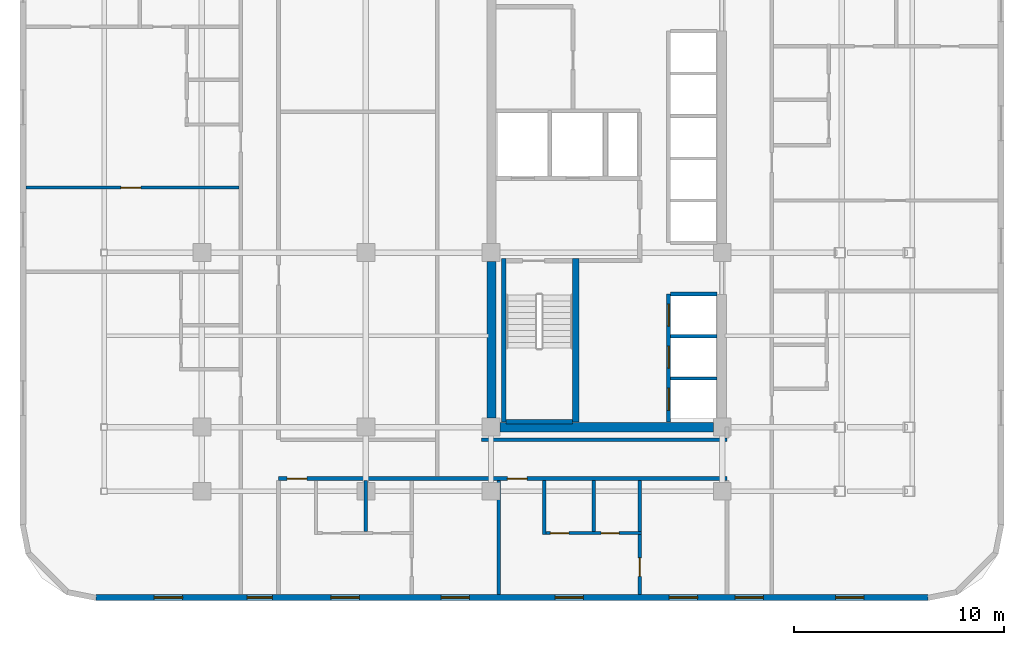
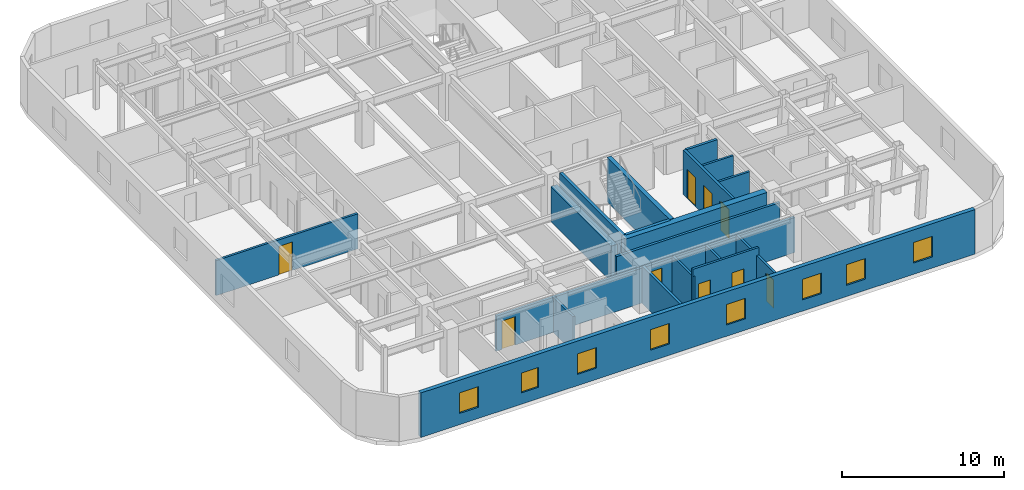
# One storey, part 6 of 12: 19 walls, 9 doors, 8 windows, 17 openings.
"""IFC4 building model written with IfcOpenShell, lengths in metres."""

from ifc_helpers import new_model, si_unit, direction, frame, frame_2d, origin, place, context, subcontext, project, spatial, rectangle, extrude, material, layer, layer_set, type_object, element, fill, save


model = new_model("IFC4")

# Units and contexts
model_context = context("Model", 3, precision=1e-05, world=origin(), true_north=direction((0.0, 1.0)))
body_context = subcontext(model_context, "Body", "Model", "MODEL_VIEW")
ifc_project = project(units=[si_unit("LENGTHUNIT", "METRE"), si_unit("AREAUNIT", "SQUARE_METRE"), si_unit("VOLUMEUNIT", "CUBIC_METRE"), si_unit("PLANEANGLEUNIT", "RADIAN"), si_unit("MASSUNIT", "GRAM", prefix="KILO")], contexts=[model_context])

# Site, building, storey
site_placement = place(None, origin())
site = spatial("IfcSite", under=ifc_project, at=site_placement, CompositionType="ELEMENT")
building_placement = place(site_placement, origin())
building = spatial("IfcBuilding", under=site, at=building_placement, Name="Ochreholt Gables", CompositionType="ELEMENT")
storey_placement = place(building_placement, frame((0.0, 0.0, 24.0)))
storey = spatial("IfcBuildingStorey", under=building, at=storey_placement, Name="L05", CompositionType="ELEMENT", Elevation=24.0)

# Walls
ifc_material_1 = material(Name="Concrete 60 MPa", Category="concrete")
ifc_layer_1 = layer(ifc_material_1, 0.449951171875, Name="Concrete 60 MPa")
ifc_layer_set_1 = layer_set([ifc_layer_1], Name="Concrete 60 MPa")
wall_type_1 = type_object("IfcWallType", Name="WALL-CSW-450", PredefinedType="SHEAR", material=ifc_layer_set_1)
wall_1_placement = place(storey_placement, frame((24.22509765625, 9.675048828125, 0.0), z_axis=(0.0, 0.0, 1.0), x_axis=(0.0, 1.0, 0.0)))
element("IfcWall", 1, at=wall_1_placement, inside=storey, type_object=wall_type_1, Name="L05 Core West Shear Wall WS", PredefinedType="SHEAR", context=body_context, shape_type="SweptSolid", body=[
    extrude(rectangle(XDim=7.449951171875, YDim=0.449951171875, at=frame_2d((3.72509765625, 0.0))), origin(), (0.0, 0.0, 1.0), 2.6669921875),
])
wall_2_placement = place(storey_placement, frame((24.625, 9.25, 0.0), z_axis=(0.0, 0.0, 1.0), x_axis=(1.0, 0.0, 0.0)))
element("IfcWall", 2, at=wall_2_placement, inside=storey, type_object=wall_type_1, Name="L05 Core South Shear Wall", PredefinedType="SHEAR", context=body_context, shape_type="SweptSolid", body=[
    extrude(rectangle(XDim=10.14990234375, YDim=0.449951171875, at=frame_2d((5.074951171875, 0.0))), origin(), (0.0, 0.0, 1.0), 3.360107421875),
])

# Wall, openings, windows
ifc_material_2 = material(Name="Precast concrete 40 MPa", Category="concrete")
ifc_layer_2 = layer(ifc_material_2, 0.2900390625, Name="Precast concrete 40 MPa")
ifc_layer_set_2 = layer_set([ifc_layer_2], Name="Precast concrete 40 MPa")
wall_type_2 = type_object("IfcWallType", Name="WALL-EXT-290", PredefinedType="SOLIDWALL", material=ifc_layer_set_2)
wall_3_placement = place(storey_placement, frame((5.419921875, 1.14501953125, 0.0), z_axis=(0.0, 0.0, 1.0), x_axis=(1.0, 0.0, 0.0)))
wall_3 = element("IfcWall", 3, at=wall_3_placement, inside=storey, type_object=wall_type_2, Name="L05 South Exterior Wall", PredefinedType="SOLIDWALL", context=body_context, shape_type="SweptSolid", body=[
    extrude(rectangle(XDim=39.56005859375, YDim=0.2900390625, at=frame_2d((19.780029296875, 0.0))), origin(), (0.0, 0.0, 1.0), 3.360107421875),
])
opening_1_placement = place(wall_3_placement, frame((2.764892578125, 0.0, 0.85009765625)))
opening_1 = element("IfcOpeningElement", 4, at=opening_1_placement, cuts=wall_3, Name="Opening WN-8", PredefinedType="OPENING", context=body_context, shape_type="SweptSolid", body=[
    extrude(rectangle(XDim=1.35009765625, YDim=1.550048828125, at=frame_2d((0.675048828125, 0.77490234375))), frame((0.0, 0.155029296875, 0.0), z_axis=(0.0, -1.0, 0.0), x_axis=(1.0, 0.0, 0.0)), (0.0, 0.0, 1.0), 0.31005859375),
])
opening_2_placement = place(wall_3_placement, frame((7.179931640625, 0.0, 0.85009765625)))
opening_2 = element("IfcOpeningElement", 5, at=opening_2_placement, cuts=wall_3, Name="Opening WN-3", PredefinedType="OPENING", context=body_context, shape_type="SweptSolid", body=[
    extrude(rectangle(XDim=1.199951171875, YDim=1.5, at=frame_2d((0.60009765625, 0.75))), frame((0.0, 0.155029296875, 0.0), z_axis=(0.0, -1.0, 0.0), x_axis=(1.0, 0.0, 0.0)), (0.0, 0.0, 1.0), 0.31005859375),
])
opening_3_placement = place(wall_3_placement, frame((11.170166015625, 0.0, 0.85009765625)))
opening_3 = element("IfcOpeningElement", 6, at=opening_3_placement, cuts=wall_3, Name="Opening WN-8", PredefinedType="OPENING", context=body_context, shape_type="SweptSolid", body=[
    extrude(rectangle(XDim=1.35009765625, YDim=1.550048828125, at=frame_2d((0.675048828125, 0.77490234375))), frame((0.0, 0.155029296875, 0.0), z_axis=(0.0, -1.0, 0.0), x_axis=(1.0, 0.0, 0.0)), (0.0, 0.0, 1.0), 0.31005859375),
])
opening_4_placement = place(wall_3_placement, frame((16.405517578125, 0.0, 0.85009765625)))
opening_4 = element("IfcOpeningElement", 7, at=opening_4_placement, cuts=wall_3, Name="Opening WN-8", PredefinedType="OPENING", context=body_context, shape_type="SweptSolid", body=[
    extrude(rectangle(XDim=1.35009765625, YDim=1.550048828125, at=frame_2d((0.675048828125, 0.77490234375))), frame((0.0, 0.155029296875, 0.0), z_axis=(0.0, -1.0, 0.0), x_axis=(1.0, 0.0, 0.0)), (0.0, 0.0, 1.0), 0.31005859375),
])
opening_5_placement = place(wall_3_placement, frame((21.830078125, 0.0, 0.85009765625)))
opening_5 = element("IfcOpeningElement", 8, at=opening_5_placement, cuts=wall_3, Name="Opening WN-8", PredefinedType="OPENING", context=body_context, shape_type="SweptSolid", body=[
    extrude(rectangle(XDim=1.35009765625, YDim=1.550048828125, at=frame_2d((0.675048828125, 0.77490234375))), frame((0.0, 0.155029296875, 0.0), z_axis=(0.0, -1.0, 0.0), x_axis=(1.0, 0.0, 0.0)), (0.0, 0.0, 1.0), 0.31005859375),
])
opening_6_placement = place(wall_3_placement, frame((27.2548828125, 0.0, 0.85009765625)))
opening_6 = element("IfcOpeningElement", 9, at=opening_6_placement, cuts=wall_3, Name="Opening WN-8", PredefinedType="OPENING", context=body_context, shape_type="SweptSolid", body=[
    extrude(rectangle(XDim=1.35009765625, YDim=1.550048828125, at=frame_2d((0.675048828125, 0.77490234375))), frame((0.0, 0.155029296875, 0.0), z_axis=(0.0, -1.0, 0.0), x_axis=(1.0, 0.0, 0.0)), (0.0, 0.0, 1.0), 0.31005859375),
])
opening_7_placement = place(wall_3_placement, frame((30.389892578125, 0.0, 0.85009765625)))
opening_7 = element("IfcOpeningElement", 10, at=opening_7_placement, cuts=wall_3, Name="Opening WN-8", PredefinedType="OPENING", context=body_context, shape_type="SweptSolid", body=[
    extrude(rectangle(XDim=1.35009765625, YDim=1.550048828125, at=frame_2d((0.675048828125, 0.77490234375))), frame((0.0, 0.155029296875, 0.0), z_axis=(0.0, -1.0, 0.0), x_axis=(1.0, 0.0, 0.0)), (0.0, 0.0, 1.0), 0.31005859375),
])
opening_8_placement = place(wall_3_placement, frame((35.169921875, 0.0, 0.85009765625)))
opening_8 = element("IfcOpeningElement", 11, at=opening_8_placement, cuts=wall_3, Name="Opening WN-8", PredefinedType="OPENING", context=body_context, shape_type="SweptSolid", body=[
    extrude(rectangle(XDim=1.35009765625, YDim=1.550048828125, at=frame_2d((0.675048828125, 0.77490234375))), frame((0.0, 0.155029296875, 0.0), z_axis=(0.0, -1.0, 0.0), x_axis=(1.0, 0.0, 0.0)), (0.0, 0.0, 1.0), 0.31005859375),
])
ifc_material_3 = material(Name="Triple-Glazed Thermally Broken Aluminium Window", Category="aluminium")
window_type_1 = type_object("IfcWindowType", Name="WIN-RES-1200", PartitioningType="SINGLE_PANEL", PredefinedType="WINDOW", material=ifc_material_3)
window_1_placement = place(opening_2_placement, origin())
window_1 = element("IfcWindow", 12, at=window_1_placement, inside=storey, type_object=window_type_1, Name="L05 Window W-EXT-S-L05-2", OverallHeight=1.5, OverallWidth=1.199951171875, PartitioningType="SINGLE_PANEL", PredefinedType="WINDOW", context=body_context, shape_type="SweptSolid", body=[
    extrude(rectangle(XDim=1.199951171875, YDim=1.5, at=frame_2d((0.60009765625, 0.75))), frame((0.0, 0.030029296875, 0.0), z_axis=(0.0, -1.0, 0.0), x_axis=(1.0, 0.0, 0.0)), (0.0, 0.0, 1.0), 0.06005859375),
])
fill(opening_2, window_1)
window_type_2 = type_object("IfcWindowType", Name="WIN-RES-1350", PartitioningType="SINGLE_PANEL", PredefinedType="WINDOW", material=ifc_material_3)
window_2_placement = place(opening_1_placement, origin())
window_2 = element("IfcWindow", 13, at=window_2_placement, inside=storey, type_object=window_type_2, Name="L05 Window W-EXT-S-L05-1", OverallHeight=1.550048828125, OverallWidth=1.35009765625, PartitioningType="SINGLE_PANEL", PredefinedType="WINDOW", context=body_context, shape_type="SweptSolid", body=[
    extrude(rectangle(XDim=1.35009765625, YDim=1.550048828125, at=frame_2d((0.675048828125, 0.77490234375))), frame((0.0, 0.030029296875, 0.0), z_axis=(0.0, -1.0, 0.0), x_axis=(1.0, 0.0, 0.0)), (0.0, 0.0, 1.0), 0.06005859375),
])
fill(opening_1, window_2)
window_3_placement = place(opening_3_placement, origin())
window_3 = element("IfcWindow", 14, at=window_3_placement, inside=storey, type_object=window_type_2, Name="L05 Window W-EXT-S-L05-3", OverallHeight=1.550048828125, OverallWidth=1.35009765625, PartitioningType="SINGLE_PANEL", PredefinedType="WINDOW", context=body_context, shape_type="SweptSolid", body=[
    extrude(rectangle(XDim=1.35009765625, YDim=1.550048828125, at=frame_2d((0.675048828125, 0.77490234375))), frame((0.0, 0.030029296875, 0.0), z_axis=(0.0, -1.0, 0.0), x_axis=(1.0, 0.0, 0.0)), (0.0, 0.0, 1.0), 0.06005859375),
])
fill(opening_3, window_3)
window_4_placement = place(opening_4_placement, origin())
window_4 = element("IfcWindow", 15, at=window_4_placement, inside=storey, type_object=window_type_2, Name="L05 Window W-EXT-S-L05-4", OverallHeight=1.550048828125, OverallWidth=1.35009765625, PartitioningType="SINGLE_PANEL", PredefinedType="WINDOW", context=body_context, shape_type="SweptSolid", body=[
    extrude(rectangle(XDim=1.35009765625, YDim=1.550048828125, at=frame_2d((0.675048828125, 0.77490234375))), frame((0.0, 0.030029296875, 0.0), z_axis=(0.0, -1.0, 0.0), x_axis=(1.0, 0.0, 0.0)), (0.0, 0.0, 1.0), 0.06005859375),
])
fill(opening_4, window_4)
window_5_placement = place(opening_5_placement, origin())
window_5 = element("IfcWindow", 16, at=window_5_placement, inside=storey, type_object=window_type_2, Name="L05 Window W-EXT-S-L05-5", OverallHeight=1.550048828125, OverallWidth=1.35009765625, PartitioningType="SINGLE_PANEL", PredefinedType="WINDOW", context=body_context, shape_type="SweptSolid", body=[
    extrude(rectangle(XDim=1.35009765625, YDim=1.550048828125, at=frame_2d((0.675048828125, 0.77490234375))), frame((0.0, 0.030029296875, 0.0), z_axis=(0.0, -1.0, 0.0), x_axis=(1.0, 0.0, 0.0)), (0.0, 0.0, 1.0), 0.06005859375),
])
fill(opening_5, window_5)
window_6_placement = place(opening_6_placement, origin())
window_6 = element("IfcWindow", 17, at=window_6_placement, inside=storey, type_object=window_type_2, Name="L05 Window W-EXT-S-L05-6", OverallHeight=1.550048828125, OverallWidth=1.35009765625, PartitioningType="SINGLE_PANEL", PredefinedType="WINDOW", context=body_context, shape_type="SweptSolid", body=[
    extrude(rectangle(XDim=1.35009765625, YDim=1.550048828125, at=frame_2d((0.675048828125, 0.77490234375))), frame((0.0, 0.030029296875, 0.0), z_axis=(0.0, -1.0, 0.0), x_axis=(1.0, 0.0, 0.0)), (0.0, 0.0, 1.0), 0.06005859375),
])
fill(opening_6, window_6)
window_7_placement = place(opening_7_placement, origin())
window_7 = element("IfcWindow", 18, at=window_7_placement, inside=storey, type_object=window_type_2, Name="L05 Window W-EXT-S-L05-7", OverallHeight=1.550048828125, OverallWidth=1.35009765625, PartitioningType="SINGLE_PANEL", PredefinedType="WINDOW", context=body_context, shape_type="SweptSolid", body=[
    extrude(rectangle(XDim=1.35009765625, YDim=1.550048828125, at=frame_2d((0.675048828125, 0.77490234375))), frame((0.0, 0.030029296875, 0.0), z_axis=(0.0, -1.0, 0.0), x_axis=(1.0, 0.0, 0.0)), (0.0, 0.0, 1.0), 0.06005859375),
])
fill(opening_7, window_7)
window_8_placement = place(opening_8_placement, origin())
window_8 = element("IfcWindow", 19, at=window_8_placement, inside=storey, type_object=window_type_2, Name="L05 Window W-EXT-S-L05-8", OverallHeight=1.550048828125, OverallWidth=1.35009765625, PartitioningType="SINGLE_PANEL", PredefinedType="WINDOW", context=body_context, shape_type="SweptSolid", body=[
    extrude(rectangle(XDim=1.35009765625, YDim=1.550048828125, at=frame_2d((0.675048828125, 0.77490234375))), frame((0.0, 0.030029296875, 0.0), z_axis=(0.0, -1.0, 0.0), x_axis=(1.0, 0.0, 0.0)), (0.0, 0.0, 1.0), 0.06005859375),
])
fill(opening_8, window_8)

# Wall, openings, doors
ifc_material_4 = material(Name="Fire-Rated Gypsum Acoustic Partition", Category="gypsum")
ifc_layer_3 = layer(ifc_material_4, 0.179931640625, Name="Fire-Rated Gypsum Acoustic Partition")
ifc_layer_set_3 = layer_set([ifc_layer_3], Name="Fire-Rated Gypsum Acoustic Partition")
wall_type_3 = type_object("IfcWallType", Name="WALL-INT-CR180", PredefinedType="STANDARD", material=ifc_layer_set_3)
wall_4_placement = place(storey_placement, frame((14.10009765625, 6.800048828125, 0.0), z_axis=(0.0, 0.0, 1.0), x_axis=(1.0, 0.0, 0.0)))
wall_4 = element("IfcWall", 20, at=wall_4_placement, inside=storey, type_object=wall_type_3, Name="L05 Interior Wall WI-C1S-L05", PredefinedType="STANDARD", context=body_context, shape_type="SweptSolid", body=[
    extrude(rectangle(XDim=21.31982421875, YDim=0.179931640625, at=frame_2d((10.659912109375, 0.0))), origin(), (0.0, 0.0, 1.0), 2.64892578125),
])
opening_9_placement = place(wall_4_placement, frame((0.409912109375, 0.0, 0.0)))
opening_9 = element("IfcOpeningElement", 21, at=opening_9_placement, cuts=wall_4, Name="Opening D-UN2", PredefinedType="OPENING", context=body_context, shape_type="SweptSolid", body=[
    extrude(rectangle(XDim=0.93994140625, YDim=2.14990234375, at=frame_2d((0.469970703125, 1.074951171875))), frame((0.0, 0.099853515625, 0.0), z_axis=(0.0, -1.0, 0.0), x_axis=(1.0, 0.0, 0.0)), (0.0, 0.0, 1.0), 0.199951171875),
])
opening_10_placement = place(wall_4_placement, frame((10.88037109375, 0.0, 0.0)))
opening_10 = element("IfcOpeningElement", 22, at=opening_10_placement, cuts=wall_4, Name="Opening D-UN2", PredefinedType="OPENING", context=body_context, shape_type="SweptSolid", body=[
    extrude(rectangle(XDim=0.93994140625, YDim=2.14990234375, at=frame_2d((0.469970703125, 1.074951171875))), frame((0.0, 0.099853515625, 0.0), z_axis=(0.0, -1.0, 0.0), x_axis=(1.0, 0.0, 0.0)), (0.0, 0.0, 1.0), 0.199951171875),
])
ifc_material_5 = material(Name="Engineered Oak Timber", Category="wood")
door_type_1 = type_object("IfcDoorType", Name="DR-INT-UNT940", OperationType="NOTDEFINED", PredefinedType="DOOR", material=ifc_material_5)
door_1_placement = place(opening_9_placement, origin())
door_1 = element("IfcDoor", 23, at=door_1_placement, inside=storey, type_object=door_type_1, Name="L05 Door D-U-L05S1-ENT", OperationType="SINGLE_SWING_LEFT", OverallHeight=2.14990234375, OverallWidth=0.93994140625, PredefinedType="DOOR", context=body_context, shape_type="SweptSolid", body=[
    extrude(rectangle(XDim=0.93994140625, YDim=2.14990234375, at=frame_2d((0.469970703125, 1.074951171875))), frame((0.0, 0.02490234375, 0.0), z_axis=(0.0, -1.0, 0.0), x_axis=(1.0, 0.0, 0.0)), (0.0, 0.0, 1.0), 0.050048828125),
])
fill(opening_9, door_1)
door_2_placement = place(opening_10_placement, origin())
door_2 = element("IfcDoor", 24, at=door_2_placement, inside=storey, type_object=door_type_1, Name="L05 Door D-U-L05S2-ENT", OperationType="SINGLE_SWING_LEFT", OverallHeight=2.14990234375, OverallWidth=0.93994140625, PredefinedType="DOOR", context=body_context, shape_type="SweptSolid", body=[
    extrude(rectangle(XDim=0.93994140625, YDim=2.14990234375, at=frame_2d((0.469970703125, 1.074951171875))), frame((0.0, 0.02490234375, 0.0), z_axis=(0.0, -1.0, 0.0), x_axis=(1.0, 0.0, 0.0)), (0.0, 0.0, 1.0), 0.050048828125),
])
fill(opening_10, door_2)

# Walls
wall_5_placement = place(storey_placement, frame((23.75, 8.64990234375, 0.0), z_axis=(0.0, 0.0, 1.0), x_axis=(1.0, 0.0, 0.0)))
element("IfcWall", 25, at=wall_5_placement, inside=storey, type_object=wall_type_3, Name="L05 Interior Wall WI-C1S2-L05", PredefinedType="STANDARD", context=body_context, shape_type="SweptSolid", body=[
    extrude(rectangle(XDim=11.669921875, YDim=0.179931640625, at=frame_2d((5.8349609375, 0.0))), origin(), (0.0, 0.0, 1.0), 2.64892578125),
])
ifc_material_6 = material(Name="Double-Stud Acoustic Demising Wall", Category="gypsum")
ifc_layer_4 = layer(ifc_material_6, 0.179931640625, Name="Double-Stud Acoustic Demising Wall")
ifc_layer_set_4 = layer_set([ifc_layer_4], Name="Double-Stud Acoustic Demising Wall")
wall_type_4 = type_object("IfcWallType", Name="WALL-INT-DM180", PredefinedType="PARTITIONING", material=ifc_layer_set_4)
wall_6_placement = place(storey_placement, frame((24.5703125, 1.2900390625, 0.0), z_axis=(0.0, 0.0, 1.0), x_axis=(0.0, 1.0, 0.0)))
element("IfcWall", 26, at=wall_6_placement, inside=storey, type_object=wall_type_4, Name="L05 Interior Wall WI-UDS-L05", PredefinedType="PARTITIONING", context=body_context, shape_type="SweptSolid", body=[
    extrude(rectangle(XDim=5.419921875, YDim=0.179931640625, at=frame_2d((2.7099609375, 0.0))), origin(), (0.0, 0.0, 1.0), 2.80908203125),
])
ifc_material_7 = material(Name="Moisture-Resistant Plumbing Chase Wall", Category="gypsum")
ifc_layer_5 = layer(ifc_material_7, 0.159912109375, Name="Moisture-Resistant Plumbing Chase Wall")
ifc_layer_set_5 = layer_set([ifc_layer_5], Name="Moisture-Resistant Plumbing Chase Wall")
wall_type_5 = type_object("IfcWallType", Name="WALL-INT-PL160", PredefinedType="PLUMBINGWALL", material=ifc_layer_set_5)
wall_7_placement = place(storey_placement, frame((18.246337890625, 4.29248046875, 0.0), z_axis=(0.0, 0.0, 1.0), x_axis=(0.0, 1.0, 0.0)))
element("IfcWall", 27, at=wall_7_placement, inside=storey, type_object=wall_type_5, Name="L05 Interior Wall WU-L05S1-WK", PredefinedType="PLUMBINGWALL", context=body_context, shape_type="SweptSolid", body=[
    extrude(rectangle(XDim=2.41748046875, YDim=0.159912109375, at=frame_2d((1.208740234375, 0.0))), origin(), (0.0, 0.0, 1.0), 2.64892578125),
])

# Wall, openings, doors
wall_8_placement = place(storey_placement, frame((26.64990234375, 4.21240234375, 0.0), z_axis=(0.0, 0.0, 1.0), x_axis=(1.0, 0.0, 0.0)))
wall_8 = element("IfcWall", 28, at=wall_8_placement, inside=storey, type_object=wall_type_5, Name="L05 Interior Wall WU-L05S2-WY", PredefinedType="PLUMBINGWALL", context=body_context, shape_type="SweptSolid", body=[
    extrude(rectangle(XDim=4.710205078125, YDim=0.159912109375, at=frame_2d((2.35498046875, 0.0))), origin(), (0.0, 0.0, 1.0), 3.360107421875),
])
opening_11_placement = place(wall_8_placement, frame((0.3798828125, 0.0, 0.0)))
opening_11 = element("IfcOpeningElement", 29, at=opening_11_placement, cuts=wall_8, Name="Opening D-GN2", PredefinedType="OPENING", context=body_context, shape_type="SweptSolid", body=[
    extrude(rectangle(XDim=0.8798828125, YDim=2.1201171875, at=frame_2d((0.43994140625, 1.06005859375))), frame((0.0, 0.08984375, 0.0), z_axis=(0.0, -1.0, 0.0), x_axis=(1.0, 0.0, 0.0)), (0.0, 0.0, 1.0), 0.179931640625),
])
opening_12_placement = place(wall_8_placement, frame((2.785888671875, 0.0, 0.0)))
opening_12 = element("IfcOpeningElement", 30, at=opening_12_placement, cuts=wall_8, Name="Opening D-BT1", PredefinedType="OPENING", context=body_context, shape_type="SweptSolid", body=[
    extrude(rectangle(XDim=0.860107421875, YDim=2.1201171875, at=frame_2d((0.43017578125, 1.06005859375))), frame((0.0, 0.08984375, 0.0), z_axis=(0.0, -1.0, 0.0), x_axis=(1.0, 0.0, 0.0)), (0.0, 0.0, 1.0), 0.179931640625),
])
door_type_2 = type_object("IfcDoorType", Name="DR-INT-BTH860", OperationType="NOTDEFINED", PredefinedType="DOOR", material=ifc_material_5)
door_3_placement = place(opening_12_placement, origin())
door_3 = element("IfcDoor", 31, at=door_3_placement, inside=storey, type_object=door_type_2, Name="L05 Door D-U-L05S2-BTH", OperationType="SINGLE_SWING_LEFT", OverallHeight=2.1201171875, OverallWidth=0.860107421875, PredefinedType="DOOR", context=body_context, shape_type="SweptSolid", body=[
    extrude(rectangle(XDim=0.860107421875, YDim=2.1201171875, at=frame_2d((0.43017578125, 1.06005859375))), frame((0.0, 0.02490234375, 0.0), z_axis=(0.0, -1.0, 0.0), x_axis=(1.0, 0.0, 0.0)), (0.0, 0.0, 1.0), 0.050048828125),
])
fill(opening_12, door_3)
door_type_3 = type_object("IfcDoorType", Name="DR-INT-GEN880", OperationType="NOTDEFINED", PredefinedType="DOOR", material=ifc_material_5)
door_4_placement = place(opening_11_placement, origin())
door_4 = element("IfcDoor", 32, at=door_4_placement, inside=storey, type_object=door_type_3, Name="L05 Door D-U-L05S2-KIT", OperationType="SINGLE_SWING_RIGHT", OverallHeight=2.1201171875, OverallWidth=0.8798828125, PredefinedType="DOOR", context=body_context, shape_type="SweptSolid", body=[
    extrude(rectangle(XDim=0.8798828125, YDim=2.1201171875, at=frame_2d((0.43994140625, 1.06005859375))), frame((0.0, 0.02490234375, 0.0), z_axis=(0.0, -1.0, 0.0), x_axis=(1.0, 0.0, 0.0)), (0.0, 0.0, 1.0), 0.050048828125),
])
fill(opening_11, door_4)

# Walls
wall_9_placement = place(storey_placement, frame((26.72998046875, 4.132568359375, 0.0), z_axis=(0.0, 0.0, 1.0), x_axis=(0.0, 1.0, 0.0)))
element("IfcWall", 33, at=wall_9_placement, inside=storey, type_object=wall_type_5, Name="L05 Interior Wall WU-L05S2-FY", PredefinedType="PLUMBINGWALL", context=body_context, shape_type="SweptSolid", body=[
    extrude(rectangle(XDim=2.577392578125, YDim=0.159912109375, at=frame_2d((1.28857421875, 0.0))), origin(), (0.0, 0.0, 1.0), 2.80908203125),
])
wall_10_placement = place(storey_placement, frame((29.095947265625, 4.29248046875, 0.0), z_axis=(0.0, 0.0, 1.0), x_axis=(0.0, 1.0, 0.0)))
element("IfcWall", 34, at=wall_10_placement, inside=storey, type_object=wall_type_5, Name="L05 Interior Wall WU-L05S2-WK", PredefinedType="PLUMBINGWALL", context=body_context, shape_type="SweptSolid", body=[
    extrude(rectangle(XDim=2.41748046875, YDim=0.159912109375, at=frame_2d((1.208740234375, 0.0))), origin(), (0.0, 0.0, 1.0), 2.80908203125),
])

# Wall, opening, door
ifc_material_8 = material(Name="Gypsum Acoustic Stud Partition", Category="gypsum")
ifc_layer_6 = layer(ifc_material_8, 0.159912109375, Name="Gypsum Acoustic Stud Partition")
ifc_layer_set_6 = layer_set([ifc_layer_6], Name="Gypsum Acoustic Stud Partition")
wall_type_6 = type_object("IfcWallType", Name="WALL-INT-PT160", PredefinedType="PARTITIONING", material=ifc_layer_set_6)
wall_11_placement = place(storey_placement, frame((2.090087890625, 20.643310546875, 0.0), z_axis=(0.0, 0.0, 1.0), x_axis=(1.0, 0.0, 0.0)))
wall_11 = element("IfcWall", 35, at=wall_11_placement, inside=storey, type_object=wall_type_6, Name="L05 Interior Wall WU-L05W2-DNW", PredefinedType="PARTITIONING", context=body_context, shape_type="SweptSolid", body=[
    extrude(rectangle(XDim=10.119873046875, YDim=0.159912109375, at=frame_2d((5.06005859375, 0.0))), origin(), (0.0, 0.0, 1.0), 2.64892578125),
])
opening_13_placement = place(wall_11_placement, frame((4.510009765625, 0.0, 0.0)))
opening_13 = element("IfcOpeningElement", 36, at=opening_13_placement, cuts=wall_11, Name="Opening D-GN1", PredefinedType="OPENING", context=body_context, shape_type="SweptSolid", body=[
    extrude(rectangle(XDim=0.949951171875, YDim=2.14990234375, at=frame_2d((0.47509765625, 1.074951171875))), frame((0.0, 0.08984375, 0.0), z_axis=(0.0, -1.0, 0.0), x_axis=(1.0, 0.0, 0.0)), (0.0, 0.0, 1.0), 0.179931640625),
])
door_type_4 = type_object("IfcDoorType", Name="DR-INT-GEN950", OperationType="NOTDEFINED", PredefinedType="DOOR", material=ifc_material_5)
door_5_placement = place(opening_13_placement, origin())
door_5 = element("IfcDoor", 37, at=door_5_placement, inside=storey, type_object=door_type_4, Name="L05 Door D-U-L05W2-DIN", OperationType="SINGLE_SWING_LEFT", OverallHeight=2.14990234375, OverallWidth=0.949951171875, PredefinedType="DOOR", context=body_context, shape_type="SweptSolid", body=[
    extrude(rectangle(XDim=0.949951171875, YDim=2.14990234375, at=frame_2d((0.47509765625, 1.074951171875))), frame((0.0, 0.02490234375, 0.0), z_axis=(0.0, -1.0, 0.0), x_axis=(1.0, 0.0, 0.0)), (0.0, 0.0, 1.0), 0.050048828125),
])
fill(opening_13, door_5)

wall_12_placement = place(storey_placement, frame((31.280029296875, 1.2900390625, 0.0), z_axis=(0.0, 0.0, 1.0), x_axis=(0.0, 1.0, 0.0)))
wall_12 = element("IfcWall", 38, at=wall_12_placement, inside=storey, type_object=wall_type_6, Name="L05 Interior Wall WU-L05S2-MNX", PredefinedType="PARTITIONING", context=body_context, shape_type="SweptSolid", body=[
    extrude(rectangle(XDim=5.419921875, YDim=0.159912109375, at=frame_2d((2.7099609375, 0.0))), origin(), (0.0, 0.0, 1.0), 2.80908203125),
])
opening_14_placement = place(wall_12_placement, frame((0.861328125, 0.0, 0.0)))
opening_14 = element("IfcOpeningElement", 39, at=opening_14_placement, cuts=wall_12, Name="Opening D-BD2", PredefinedType="OPENING", context=body_context, shape_type="SweptSolid", body=[
    extrude(rectangle(XDim=0.8798828125, YDim=2.139892578125, at=frame_2d((0.43994140625, 1.06982421875))), frame((0.0, 0.08984375, 0.0), z_axis=(0.0, -1.0, 0.0), x_axis=(1.0, 0.0, 0.0)), (0.0, 0.0, 1.0), 0.179931640625),
])
door_type_5 = type_object("IfcDoorType", Name="DR-INT-BED880", OperationType="NOTDEFINED", PredefinedType="DOOR", material=ifc_material_5)
door_6_placement = place(opening_14_placement, origin())
door_6 = element("IfcDoor", 40, at=door_6_placement, inside=storey, type_object=door_type_5, Name="L05 Door D-U-L05S2-BD1", OperationType="SINGLE_SWING_RIGHT", OverallHeight=2.139892578125, OverallWidth=0.8798828125, PredefinedType="DOOR", context=body_context, shape_type="SweptSolid", body=[
    extrude(rectangle(XDim=0.8798828125, YDim=2.139892578125, at=frame_2d((0.43994140625, 1.06982421875))), frame((0.0, 0.02490234375, 0.0), z_axis=(0.0, -1.0, 0.0), x_axis=(1.0, 0.0, 0.0)), (0.0, 0.0, 1.0), 0.050048828125),
])
fill(opening_14, door_6)

# Walls
ifc_material_9 = material(Name="Gypsum Shaftliner and Steel Stud", Category="steel")
ifc_layer_7 = layer(ifc_material_9, 0.14990234375, Name="Gypsum Shaftliner and Steel Stud")
ifc_layer_set_7 = layer_set([ifc_layer_7], Name="Gypsum Shaftliner and Steel Stud")
wall_type_7 = type_object("IfcWallType", Name="WALL-INT-SH150", PredefinedType="STANDARD", material=ifc_layer_set_7)
for number, where, z_axis, x_axis, name in (
    (41, (32.739990234375, 11.570068359375, 0.0), (0.0, 0.0, 1.0), (1.0, 0.0, 0.0), "L05 Interior Wall WI-LFL-D1-L05"),
    (42, (32.739990234375, 13.570068359375, 0.0), (0.0, 0.0, 1.0), (1.0, 0.0, 0.0), "L05 Interior Wall WI-LFL-D2-L05"),
):
    element("IfcWall", number, at=place(storey_placement, frame(where, z_axis=z_axis, x_axis=x_axis)), inside=storey, type_object=wall_type_7, Name=name, PredefinedType="STANDARD", context=body_context, shape_type="SweptSolid", body=[
        extrude(rectangle(XDim=2.2099609375, YDim=0.14990234375, at=frame_2d((1.10498046875, 0.0))), origin(), (0.0, 0.0, 1.0), 3.360107421875),
    ])

# Wall, openings, doors
ifc_layer_8 = layer(ifc_material_9, 0.179931640625, Name="Gypsum Shaftliner and Steel Stud")
ifc_layer_set_8 = layer_set([ifc_layer_8], Name="Gypsum Shaftliner and Steel Stud")
wall_type_8 = type_object("IfcWallType", Name="WALL-INT-SH180", PredefinedType="STANDARD", material=ifc_layer_set_8)
wall_13_placement = place(storey_placement, frame((32.64990234375, 9.5, 0.0), z_axis=(0.0, 0.0, 1.0), x_axis=(0.0, 1.0, 0.0)))
wall_13 = element("IfcWall", 43, at=wall_13_placement, inside=storey, type_object=wall_type_8, Name="L05 Interior Wall WI-LFL-FR-L05", PredefinedType="STANDARD", context=body_context, shape_type="SweptSolid", body=[
    extrude(rectangle(XDim=6.080078125, YDim=0.179931640625, at=frame_2d((3.0400390625, 0.0))), origin(), (0.0, 0.0, 1.0), 3.360107421875),
])
opening_15_placement = place(wall_13_placement, frame((0.550048828125, 0.0, 0.0)))
opening_15 = element("IfcOpeningElement", 44, at=opening_15_placement, cuts=wall_13, Name="Opening LD-PX", PredefinedType="OPENING", context=body_context, shape_type="SweptSolid", body=[
    extrude(rectangle(XDim=1.050048828125, YDim=2.199951171875, at=frame_2d((0.52490234375, 1.10009765625))), frame((0.0, 0.099853515625, 0.0), z_axis=(0.0, -1.0, 0.0), x_axis=(1.0, 0.0, 0.0)), (0.0, 0.0, 1.0), 0.199951171875),
])
opening_16_placement = place(wall_13_placement, frame((2.550048828125, 0.0, 0.0)))
opening_16 = element("IfcOpeningElement", 45, at=opening_16_placement, cuts=wall_13, Name="Opening LD-PX", PredefinedType="OPENING", context=body_context, shape_type="SweptSolid", body=[
    extrude(rectangle(XDim=1.050048828125, YDim=2.199951171875, at=frame_2d((0.52490234375, 1.10009765625))), frame((0.0, 0.099853515625, 0.0), z_axis=(0.0, -1.0, 0.0), x_axis=(1.0, 0.0, 0.0)), (0.0, 0.0, 1.0), 0.199951171875),
])
opening_17_placement = place(wall_13_placement, frame((4.550048828125, 0.0, 0.0)))
opening_17 = element("IfcOpeningElement", 46, at=opening_17_placement, cuts=wall_13, Name="Opening LD-PX", PredefinedType="OPENING", context=body_context, shape_type="SweptSolid", body=[
    extrude(rectangle(XDim=1.050048828125, YDim=2.199951171875, at=frame_2d((0.52490234375, 1.10009765625))), frame((0.0, 0.099853515625, 0.0), z_axis=(0.0, -1.0, 0.0), x_axis=(1.0, 0.0, 0.0)), (0.0, 0.0, 1.0), 0.199951171875),
])
ifc_material_10 = material(Name="Stainless Steel", Category="steel")
door_type_6 = type_object("IfcDoorType", Name="DR-LFT-PX1050", OperationType="NOTDEFINED", PredefinedType="DOOR", material=ifc_material_10)
door_7_placement = place(opening_15_placement, origin())
door_7 = element("IfcDoor", 47, at=door_7_placement, inside=storey, type_object=door_type_6, Name="L05 Door LD-L1-L05", OperationType="SLIDING_TO_LEFT", OverallHeight=2.199951171875, OverallWidth=1.050048828125, PredefinedType="DOOR", context=body_context, shape_type="SweptSolid", body=[
    extrude(rectangle(XDim=1.050048828125, YDim=2.199951171875, at=frame_2d((0.52490234375, 1.10009765625))), frame((0.0, 0.02490234375, 0.0), z_axis=(0.0, -1.0, 0.0), x_axis=(1.0, 0.0, 0.0)), (0.0, 0.0, 1.0), 0.050048828125),
])
fill(opening_15, door_7)
door_8_placement = place(opening_16_placement, origin())
door_8 = element("IfcDoor", 48, at=door_8_placement, inside=storey, type_object=door_type_6, Name="L05 Door LD-L2-L05", OperationType="SLIDING_TO_LEFT", OverallHeight=2.199951171875, OverallWidth=1.050048828125, PredefinedType="DOOR", context=body_context, shape_type="SweptSolid", body=[
    extrude(rectangle(XDim=1.050048828125, YDim=2.199951171875, at=frame_2d((0.52490234375, 1.10009765625))), frame((0.0, 0.02490234375, 0.0), z_axis=(0.0, -1.0, 0.0), x_axis=(1.0, 0.0, 0.0)), (0.0, 0.0, 1.0), 0.050048828125),
])
fill(opening_16, door_8)
door_9_placement = place(opening_17_placement, origin())
door_9 = element("IfcDoor", 49, at=door_9_placement, inside=storey, type_object=door_type_6, Name="L05 Door LD-L3-L05", OperationType="SLIDING_TO_LEFT", OverallHeight=2.199951171875, OverallWidth=1.050048828125, PredefinedType="DOOR", context=body_context, shape_type="SweptSolid", body=[
    extrude(rectangle(XDim=1.050048828125, YDim=2.199951171875, at=frame_2d((0.52490234375, 1.10009765625))), frame((0.0, 0.02490234375, 0.0), z_axis=(0.0, -1.0, 0.0), x_axis=(1.0, 0.0, 0.0)), (0.0, 0.0, 1.0), 0.050048828125),
])
fill(opening_17, door_9)

# Walls
wall_14_placement = place(storey_placement, frame((32.739990234375, 15.580078125, 0.0), z_axis=(0.0, 0.0, 1.0), x_axis=(1.0, 0.0, 0.0)))
element("IfcWall", 50, at=wall_14_placement, inside=storey, type_object=wall_type_8, Name="L05 Interior Wall WI-LFL-N-L05", PredefinedType="STANDARD", context=body_context, shape_type="SweptSolid", body=[
    extrude(rectangle(XDim=2.2099609375, YDim=0.179931640625, at=frame_2d((1.10498046875, 0.0))), origin(), (0.0, 0.0, 1.0), 3.360107421875),
])
ifc_layer_9 = layer(ifc_material_1, 0.300048828125, Name="Concrete 60 MPa")
ifc_layer_set_9 = layer_set([ifc_layer_9], Name="Concrete 60 MPa")
wall_type_9 = type_object("IfcWallType", Name="WALL-SPN-300", PredefinedType="SHEAR", material=ifc_layer_set_9)
wall_15_placement = place(storey_placement, frame((28.22998046875, 9.5, 0.0), z_axis=(0.0, 0.0, 1.0), x_axis=(0.0, 1.0, 0.0)))
element("IfcWall", 51, at=wall_15_placement, inside=storey, type_object=wall_type_9, Name="L05 Core South Spine Shear Wall", PredefinedType="SHEAR", context=body_context, shape_type="SweptSolid", body=[
    extrude(rectangle(XDim=7.760009765625, YDim=0.300048828125, at=frame_2d((3.8798828125, 0.0))), origin(), (0.0, 0.0, 1.0), 3.360107421875),
])
ifc_material_11 = material(Name="Concrete 50 MPa", Category="concrete")
ifc_layer_10 = layer(ifc_material_11, 0.219970703125, Name="Concrete 50 MPa")
ifc_layer_set_10 = layer_set([ifc_layer_10], Name="Concrete 50 MPa")
wall_type_10 = type_object("IfcWallType", Name="WALL-STW-220", PredefinedType="SHEAR", material=ifc_layer_set_10)
wall_16_placement = place(storey_placement, frame((24.81005859375, 9.5, 0.0), z_axis=(0.0, 0.0, 1.0), x_axis=(0.0, 1.0, 0.0)))
element("IfcWall", 52, at=wall_16_placement, inside=storey, type_object=wall_type_10, Name="L05 Exit Stair 1 West Wall", PredefinedType="SHEAR", context=body_context, shape_type="SweptSolid", body=[
    extrude(rectangle(XDim=7.760009765625, YDim=0.219970703125, at=frame_2d((3.8798828125, 0.0))), origin(), (0.0, 0.0, 1.0), 3.360107421875),
])
wall_17_placement = place(storey_placement, frame((24.919921875, 9.510009765625, 0.0), z_axis=(0.0, 0.0, 1.0), x_axis=(1.0, 0.0, 0.0)))
element("IfcWall", 53, at=wall_17_placement, inside=storey, type_object=wall_type_10, Name="L05 Exit Stair 1 South Wall", PredefinedType="SHEAR", context=body_context, shape_type="SweptSolid", body=[
    extrude(rectangle(XDim=3.16015625, YDim=0.219970703125, at=frame_2d((1.580078125, 0.0))), origin(), (0.0, 0.0, 1.0), 3.360107421875),
])

save(model, "model.ifc")
